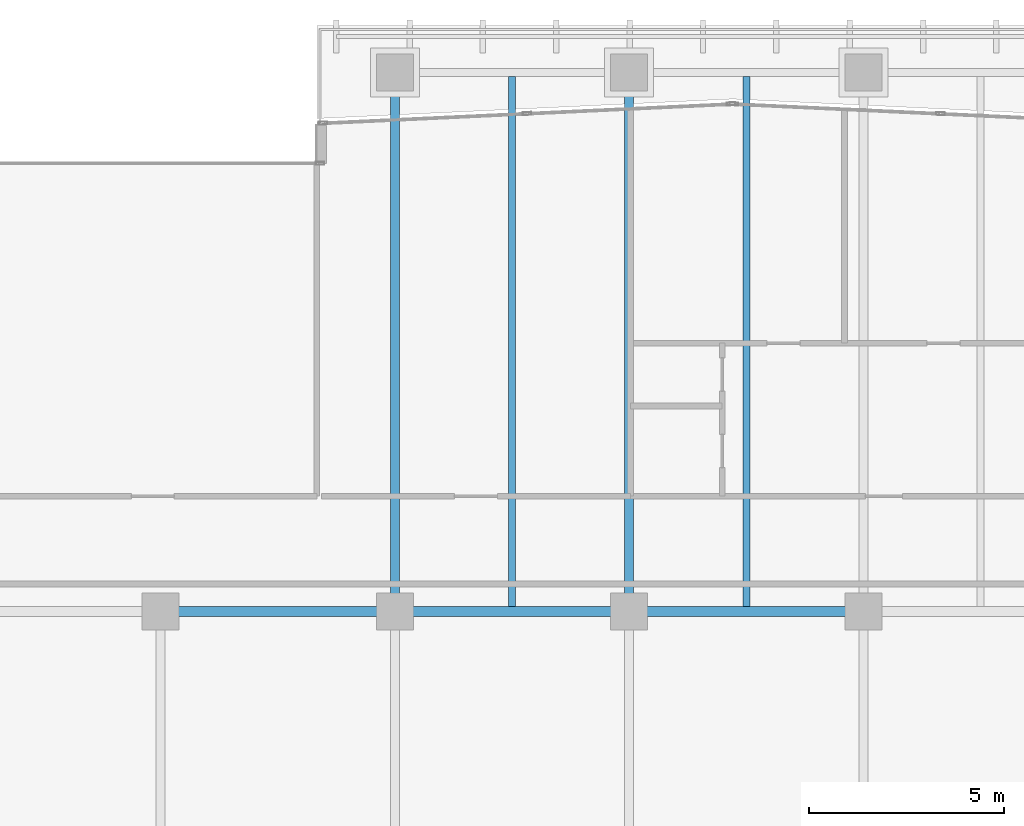
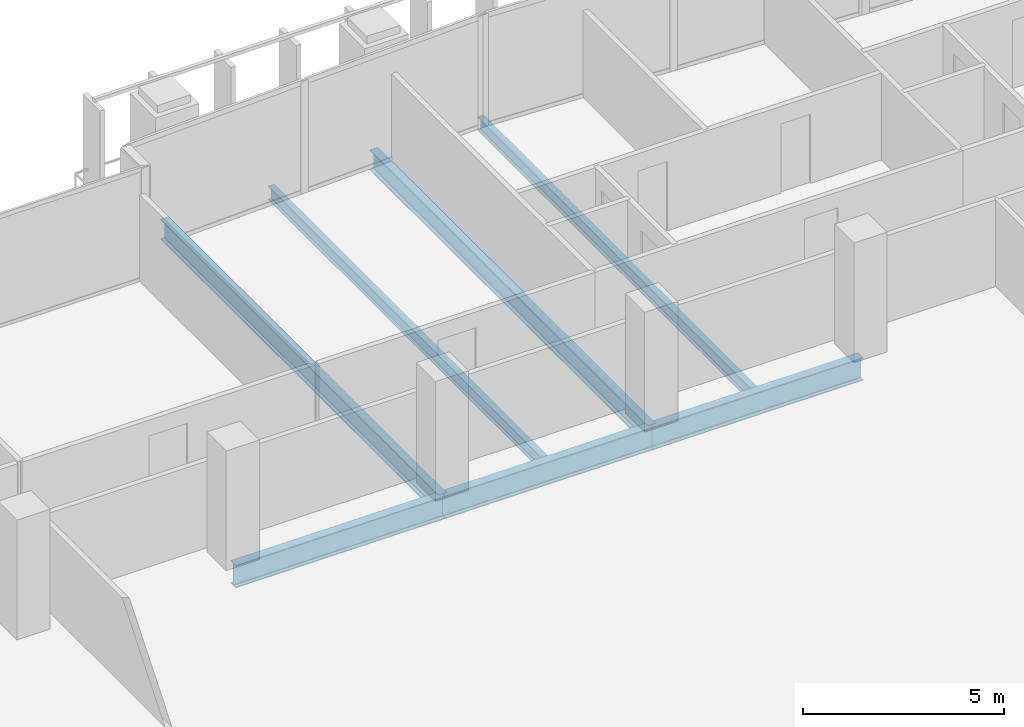
# One storey, part 14 of 39: 7 beams.
"""IFC4 building model written with IfcOpenShell, lengths in metres."""

from ifc_helpers import new_model, si_unit, direction, frame, origin, origin_2d, place, context, subcontext, project, spatial, i_section, extrude, material, material_profile, profile_set, type_object, element, save


model = new_model("IFC4")

# Units and contexts
model_context = context("Model", 3, precision=1e-05, world=origin(), true_north=direction((0.0, 1.0)))
body_context = subcontext(model_context, "Body", "Model", "MODEL_VIEW")
ifc_project = project(units=[si_unit("LENGTHUNIT", "METRE"), si_unit("AREAUNIT", "SQUARE_METRE"), si_unit("VOLUMEUNIT", "CUBIC_METRE"), si_unit("PLANEANGLEUNIT", "RADIAN"), si_unit("MASSUNIT", "GRAM", prefix="KILO")], contexts=[model_context])

# Site, building, storey
site_placement = place(None, origin())
site = spatial("IfcSite", under=ifc_project, at=site_placement, CompositionType="ELEMENT")
building_placement = place(site_placement, origin())
building = spatial("IfcBuilding", under=site, at=building_placement, Name="Tanjung Sevakor Pilgrim Tower", CompositionType="ELEMENT")
storey_placement = place(building_placement, frame((0.0, 0.0, 108.570068359375)))
storey = spatial("IfcBuildingStorey", under=building, at=storey_placement, Name="L30", CompositionType="ELEMENT", Elevation=108.570068359375)

# Beams
ifc_material_1 = material(Name="Steel S355J2", Category="steel")
ifc_material_profile_1 = material_profile(ifc_material_1, i_section(OverallWidth=0.25439453125, OverallDepth=0.6875, WebThickness=0.01318359375, FlangeThickness=0.02099609375, FilletRadius=0.01513671875, at=origin_2d()))
ifc_profile_set_1 = profile_set([ifc_material_profile_1], Name="Steel S355J2")
beam_type_1 = type_object("IfcBeamType", Name="BM-B-G2-UB_686x254x152", PredefinedType="BEAM", material=ifc_profile_set_1)
for number, where, z_axis, x_axis, name in (
    (1, (48.0, 42.60009765625, -0.56396484375), (1.0, 0.0, 0.0), (0.0, 1.0, 0.0), "L30 Primary Floor Girder MAIN Y426-04"),
    (2, (54.0, 42.60009765625, -0.56396484375), (1.0, 0.0, 0.0), (0.0, 1.0, 0.0), "L30 Primary Floor Girder MAIN Y426-05"),
    (3, (60.0, 42.60009765625, -0.56396484375), (1.0, 0.0, 0.0), (0.0, 1.0, 0.0), "L30 Primary Floor Girder MAIN Y426-06"),
):
    element("IfcBeam", number, at=place(storey_placement, frame(where, z_axis=z_axis, x_axis=x_axis)), inside=storey, type_object=beam_type_1, Name=name, PredefinedType="BEAM", context=body_context, shape_type="SweptSolid", body=[
        extrude(i_section(OverallWidth=0.25439453125, OverallDepth=0.6875, WebThickness=0.01318359375, FlangeThickness=0.02099609375, FilletRadius=0.01513671875, at=origin_2d()), origin(), (0.0, 0.0, 1.0), 6.0),
    ])
ifc_material_2 = material(Name="Steel S355J2", Category="steel")
ifc_material_profile_2 = material_profile(ifc_material_2, i_section(OverallWidth=0.230224609375, OverallDepth=0.6171875, WebThickness=0.01318359375, FlangeThickness=0.022216796875, FilletRadius=0.0126953125, at=origin_2d()))
ifc_profile_set_2 = profile_set([ifc_material_profile_2], Name="Steel S355J2")
beam_type_2 = type_object("IfcBeamType", Name="BM-B-G3-UB_610x229x140", PredefinedType="BEAM", material=ifc_profile_set_2)
for number, where, z_axis, x_axis, name in (
    (4, (54.0, 42.60009765625, -0.528564453125), (0.0, 1.0, 0.0), (-1.0, 0.0, 0.0), "L30 MAIN Girder 019"),
    (5, (60.0, 42.60009765625, -0.528564453125), (0.0, 1.0, 0.0), (-1.0, 0.0, 0.0), "L30 MAIN Girder 024"),
):
    element("IfcBeam", number, at=place(storey_placement, frame(where, z_axis=z_axis, x_axis=x_axis)), inside=storey, type_object=beam_type_2, Name=name, PredefinedType="BEAM", context=body_context, shape_type="SweptSolid", body=[
        extrude(i_section(OverallWidth=0.230224609375, OverallDepth=0.6171875, WebThickness=0.01318359375, FlangeThickness=0.022216796875, FilletRadius=0.0126953125, at=origin_2d()), origin(), (0.0, 0.0, 1.0), 13.7998046875),
    ])
ifc_material_3 = material(Name="Steel S355J2", Category="steel")
ifc_material_profile_3 = material_profile(ifc_material_3, i_section(OverallWidth=0.1787109375, OverallDepth=0.409423828125, WebThickness=0.0087890625, FlangeThickness=0.014404296875, FilletRadius=0.01025390625, at=origin_2d()))
ifc_profile_set_3 = profile_set([ifc_material_profile_3], Name="Steel S355J2")
beam_type_3 = type_object("IfcBeamType", Name="BM-B-J3-UB_406x178x67", PredefinedType="JOIST", material=ifc_profile_set_3)
for number, where, z_axis, x_axis, name in (
    (6, (57.0, 42.727294921875, -0.4248046875), (0.0, 1.0, 0.0), (-1.0, 0.0, 0.0), "L30 MAIN Joist 021"),
    (7, (63.0, 42.727294921875, -0.4248046875), (0.0, 1.0, 0.0), (-1.0, 0.0, 0.0), "L30 MAIN Joist 026"),
):
    element("IfcBeam", number, at=place(storey_placement, frame(where, z_axis=z_axis, x_axis=x_axis)), inside=storey, type_object=beam_type_3, Name=name, PredefinedType="JOIST", context=body_context, shape_type="SweptSolid", body=[
        extrude(i_section(OverallWidth=0.1787109375, OverallDepth=0.409423828125, WebThickness=0.0087890625, FlangeThickness=0.014404296875, FilletRadius=0.01025390625, at=origin_2d()), origin(), (0.0, 0.0, 1.0), 13.57275390625),
    ])

save(model, "model.ifc")
